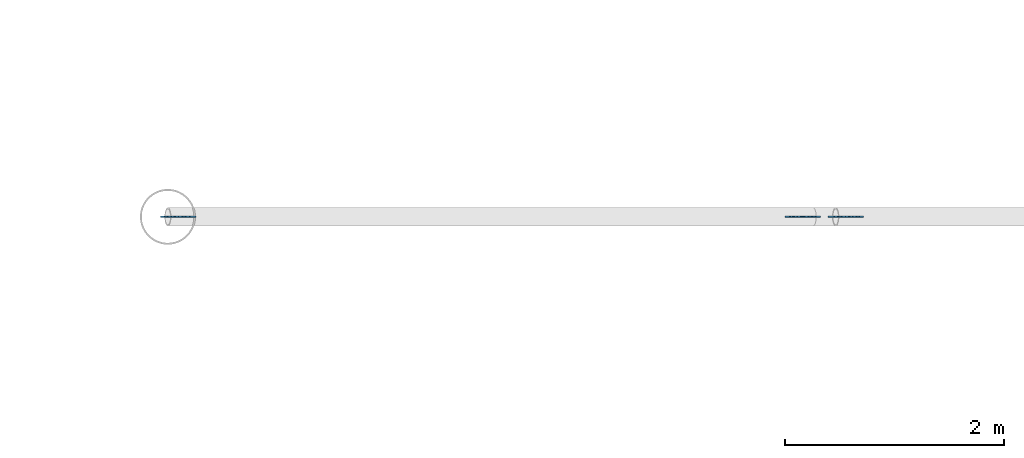
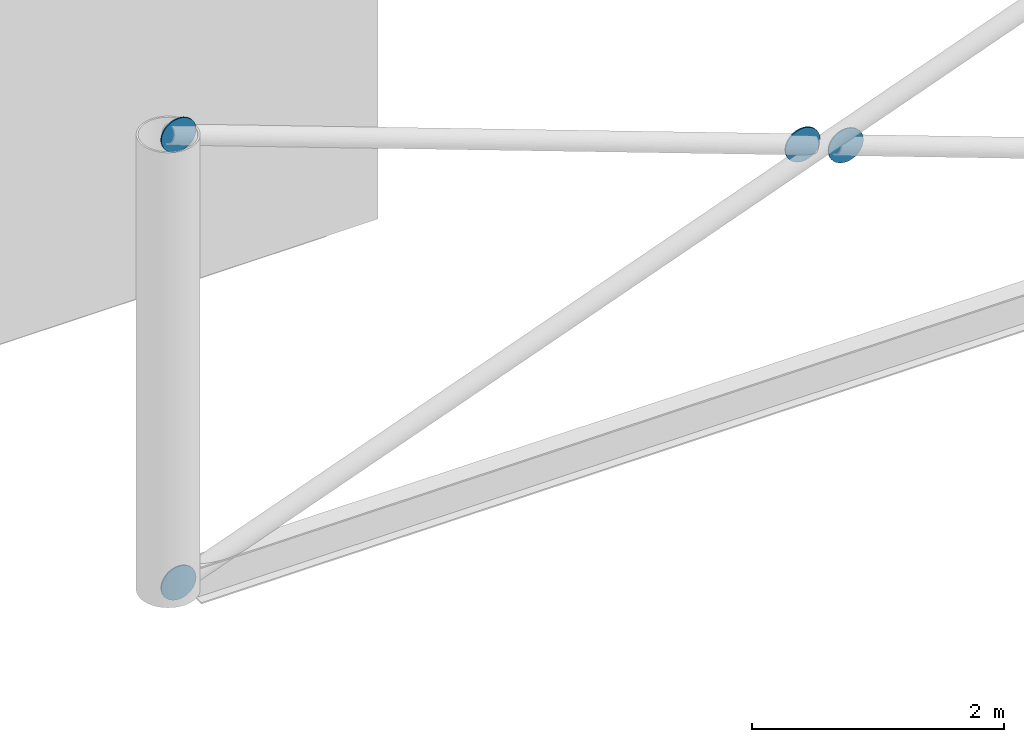
# One storey, part 69 of 95: 4 discrete accessories.
"""IFC4 building model written with IfcOpenShell, lengths in metres."""

import ifcopenshell
import ifcopenshell.guid

model = None  # the IFC model being written
_history = None  # IfcOwnerHistory: only IFC2X3 demands one
_inside = {}  # id of a spatial element -> (the spatial element, [elements in it])
_under = {}  # id of a project, library or spatial element -> (it, [spatial elements below it])
_declared = {}  # id of a project -> (the project, [libraries it declares])
_typed = {}  # id of a type object -> (the type object, [elements of that type])
_made_of = {}  # id of a material, layer set ... -> (it, [elements and type objects made of it])


def new_model(schema):
    """Start an empty IFC model of exactly this schema.

    Asked for "IFC4X3", IfcOpenShell would pick the latest addendum, in which some entities
    have other attributes; the version numbers below select the first issue.
    IFC2X3 requires an IfcOwnerHistory on every rooted entity: one is made here for all.
    """
    global model, _history
    if schema == "IFC4X3":
        model = ifcopenshell.file(schema_version=(4, 3, 0, 0))
    else:
        model = ifcopenshell.file(schema=schema)
    _inside.clear()
    _under.clear()
    _declared.clear()
    _typed.clear()
    _made_of.clear()
    _history = None
    if model.schema == "IFC2X3":
        org = make("IfcOrganization", Name="unknown")
        user = make(
            "IfcPersonAndOrganization",
            ThePerson=make("IfcPerson", FamilyName="unknown"),
            TheOrganization=org,
        )
        app = make(
            "IfcApplication",
            ApplicationDeveloper=org,
            Version="unknown",
            ApplicationFullName="unknown",
            ApplicationIdentifier="unknown",
        )
        _history = make(
            "IfcOwnerHistory",
            OwningUser=user,
            OwningApplication=app,
            ChangeAction="ADDED",
            CreationDate=0,
        )
    return model


def make(cls, **values):
    """One entity of the class cls with the attributes given. An attribute that is None is left unset."""
    return model.create_entity(
        cls, **{name: value for name, value in values.items() if value is not None}
    )


def rooted(cls, **values):
    """An entity with a GlobalId (a new one), such as an element, a storey or a relation."""
    return make(cls, GlobalId=ifcopenshell.guid.new(), OwnerHistory=_history, **values)


def si_unit(unit_type, name, prefix=None):
    """IfcSIUnit, for example si_unit("LENGTHUNIT", "METRE", prefix="MILLI")."""
    return make("IfcSIUnit", UnitType=unit_type, Prefix=prefix, Name=name)


def assignment(units):
    """IfcUnitAssignment: the units of a project."""
    return None if units is None else make("IfcUnitAssignment", Units=units)


def point(xyz):
    """IfcCartesianPoint."""
    return None if xyz is None else make("IfcCartesianPoint", Coordinates=xyz)


def direction(xyz):
    """IfcDirection."""
    return None if xyz is None else make("IfcDirection", DirectionRatios=xyz)


def frame(location, z_axis=None, x_axis=None):
    """IfcAxis2Placement3D, a coordinate frame: its origin and axes. An axis left out is left unset."""
    return make(
        "IfcAxis2Placement3D",
        Location=point(location),
        Axis=direction(z_axis),
        RefDirection=direction(x_axis),
    )


def frame_2d(location, x_axis=None):
    """IfcAxis2Placement2D, a coordinate frame in the plane: its origin and x axis."""
    return make(
        "IfcAxis2Placement2D", Location=point(location), RefDirection=direction(x_axis)
    )


def origin():
    """The frame at (0, 0, 0) with its axes left unset."""
    return frame((0.0, 0.0, 0.0))


def origin_2d():
    """The frame at (0, 0) in the plane with its x axis left unset."""
    return frame_2d((0.0, 0.0))


def place(relative_to, where):
    """IfcLocalPlacement: puts the frame where relative to a parent placement (None: the world)."""
    return make(
        "IfcLocalPlacement", PlacementRelTo=relative_to, RelativePlacement=where
    )


def context(
    kind, dimensions, precision=None, world=None, true_north=None, identifier=None
):
    """IfcGeometricRepresentationContext, for example the 3D "Model" context."""
    return make(
        "IfcGeometricRepresentationContext",
        ContextIdentifier=identifier,
        ContextType=kind,
        CoordinateSpaceDimension=dimensions,
        Precision=precision,
        WorldCoordinateSystem=world,
        TrueNorth=true_north,
    )


def subcontext(parent, identifier, kind, view, scale=None):
    """IfcGeometricRepresentationSubContext, for example "Body" below "Model"."""
    return make(
        "IfcGeometricRepresentationSubContext",
        ContextIdentifier=identifier,
        ContextType=kind,
        ParentContext=parent,
        TargetScale=scale,
        TargetView=view,
    )


def project(units=None, contexts=None):
    """IfcProject with its units and contexts."""
    return rooted(
        "IfcProject",
        Name="project",
        RepresentationContexts=contexts,
        UnitsInContext=assignment(units),
    )


def spatial(cls, under=None, at=None, **own):
    """A site, building, storey or space (cls), placed at a placement, below another one or the project."""
    s = rooted(cls, ObjectPlacement=at, **own)
    if under is not None:
        _under.setdefault(under.id(), (under, []))[1].append(s)
    return s


def profile(cls, at=None, kind="AREA", **sizes):
    """A parametric profile (cls). Its sizes go by their IFC names, for example OverallWidth=200.0."""
    return make(cls, ProfileType=kind, Position=at, **sizes)


def circle(**sizes):
    """IfcCircleProfileDef."""
    return profile("IfcCircleProfileDef", **sizes)


def extrude(swept, where, along, depth):
    """IfcExtrudedAreaSolid: the profile swept, set in the frame where, extruded along a direction by depth."""
    return make(
        "IfcExtrudedAreaSolid",
        SweptArea=swept,
        Position=where,
        ExtrudedDirection=direction(along),
        Depth=depth,
    )


def shape(context_of_items, identifier, shape_type, items):
    """IfcShapeRepresentation: the items that make up one representation, for example the "Body"."""
    return make(
        "IfcShapeRepresentation",
        ContextOfItems=context_of_items,
        RepresentationIdentifier=identifier,
        RepresentationType=shape_type,
        Items=items,
    )


def material(Name=None, Category=None):
    """IfcMaterial."""
    return make("IfcMaterial", Name=Name, Category=Category)


def layer(
    of_material, thickness, ventilated=None, Name=None, Category=None, Priority=None
):
    """IfcMaterialLayer: one layer of a wall or slab, of a material (None: an air gap)."""
    return make(
        "IfcMaterialLayer",
        Material=of_material,
        LayerThickness=thickness,
        IsVentilated=ventilated,
        Name=Name,
        Category=Category,
        Priority=Priority,
    )


def layer_set(layers, Name=None):
    """IfcMaterialLayerSet."""
    return make("IfcMaterialLayerSet", MaterialLayers=layers, LayerSetName=Name)


def made_of(thing, what):
    """Note that an element or type object is made of a material, layer set ...; save() writes the relation."""
    if what is not None:
        _made_of.setdefault(what.id(), (what, []))[1].append(thing)
    return thing


def type_object(cls, material=None, **own):
    """A type object (cls), such as IfcWallType, which elements share."""
    return made_of(rooted(cls, **own), material)


def element(
    cls,
    number,
    at=None,
    inside=None,
    cuts=None,
    type_object=None,
    material=None,
    context=None,
    identifier="Body",
    shape_type=None,
    held_by="IfcProductDefinitionShape",
    body=None,
    shapes=None,
    **own,
):
    """One element of the class cls, such as IfcWall. Its Tag is "e" and its number.

    at: its placement. inside: the storey or other place that contains it. cuts: it is an
    opening in that element (IfcRelVoidsElement). A single representation is given by context,
    identifier, shape_type and body (its items); several are given by shapes. held_by: the class
    of the entity that holds the representations. save() writes the other relations.
    """
    e = rooted(cls, Tag="e%d" % number, ObjectPlacement=at, **own)
    if body is not None:
        shapes = [shape(context, identifier, shape_type, body)]
    if shapes is not None:
        e.Representation = make(held_by, Representations=shapes)
    if inside is not None:
        _inside.setdefault(inside.id(), (inside, []))[1].append(e)
    if cuts is not None:
        rooted(
            "IfcRelVoidsElement", RelatingBuildingElement=cuts, RelatedOpeningElement=e
        )
    if type_object is not None:
        _typed.setdefault(type_object.id(), (type_object, []))[1].append(e)
    return made_of(e, material)


def aggregate(whole, parts):
    """IfcRelAggregates: a whole, such as a stair, and the parts it consists of."""
    return rooted("IfcRelAggregates", RelatingObject=whole, RelatedObjects=parts)


def save(model, path):
    """Write the relations noted so far, then the file.

    IfcRelAggregates (storeys below a building ...), IfcRelContainedInSpatialStructure (elements
    in a storey), IfcRelDefinesByType, IfcRelAssociatesMaterial and IfcRelDeclares: one each for
    every whole, place, type object, material and project.
    """
    for whole, parts in _under.values():
        aggregate(whole, parts)
    for where, things in _inside.values():
        rooted(
            "IfcRelContainedInSpatialStructure",
            RelatedElements=things,
            RelatingStructure=where,
        )
    for kind, things in _typed.values():
        rooted("IfcRelDefinesByType", RelatedObjects=things, RelatingType=kind)
    for what, things in _made_of.values():
        rooted("IfcRelAssociatesMaterial", RelatedObjects=things, RelatingMaterial=what)
    for by, libraries in _declared.values():
        rooted("IfcRelDeclares", RelatingContext=by, RelatedDefinitions=libraries)
    model.write(path)


model = new_model("IFC4")

# Units and contexts
model_context = context("Model", 3, precision=1e-05, world=origin(), true_north=direction((0.0, 1.0)))
body_context = subcontext(model_context, "Body", "Model", "MODEL_VIEW")
ifc_project = project(units=[si_unit("LENGTHUNIT", "METRE"), si_unit("AREAUNIT", "SQUARE_METRE"), si_unit("VOLUMEUNIT", "CUBIC_METRE"), si_unit("PLANEANGLEUNIT", "RADIAN"), si_unit("MASSUNIT", "GRAM", prefix="KILO")], contexts=[model_context])

# Site, building, storey
site_placement = place(None, origin())
site = spatial("IfcSite", under=ifc_project, at=site_placement, CompositionType="ELEMENT")
building_placement = place(site_placement, origin())
building = spatial("IfcBuilding", under=site, at=building_placement, Name="Windward Yard Aquatics Centre", CompositionType="ELEMENT")
storey_placement = place(building_placement, frame((0.0, 0.0, 9.39990234375)))
storey = spatial("IfcBuildingStorey", under=building, at=storey_placement, Name="L02", CompositionType="ELEMENT", Elevation=9.39990234375)

# Discrete accessories
ifc_material = material(Name="Steel S355", Category="steel")
ifc_layer = layer(ifc_material, 0.011962890625)
ifc_layer_set = layer_set([ifc_layer], Name="Gusset plate 320 mm disc 12 mm")
discrete_accessory_type = type_object("IfcDiscreteAccessoryType", Name="Gusset plate 320 mm disc 12 mm", PredefinedType="USERDEFINED", material=ifc_layer_set)
for number, where, z_axis, x_axis, name in (
    (1, (60.093994140625, 80.39404296875, 0.034423828125), (0.0, 1.0, 0.0), (-1.0, 0.0, 0.0), "Gusset plate"),
    (2, (60.093994140625, 80.39404296875, 4.36572265625), (0.0, 1.0, 0.0), (-1.0, 0.0, 0.0), "Gusset plate"),
    (3, (65.802734375, 80.39404296875, 2.2724609375), (0.0, 1.0, 0.0), (-1.0, 0.0, 0.0), "Gusset plate"),
    (4, (66.197265625, 80.39404296875, 2.127685546875), (0.0, 1.0, 0.0), (-1.0, 0.0, 0.0), "Gusset plate"),
):
    element("IfcDiscreteAccessory", number, at=place(storey_placement, frame(where, z_axis=z_axis, x_axis=x_axis)), inside=storey, type_object=discrete_accessory_type, Name=name, ObjectType="GUSSET PLATE", PredefinedType="USERDEFINED", context=body_context, shape_type="SweptSolid", body=[
        extrude(circle(Radius=0.159912109375, at=origin_2d()), origin(), (0.0, 0.0, 1.0), 0.011962890625),
    ])

save(model, "model.ifc")
